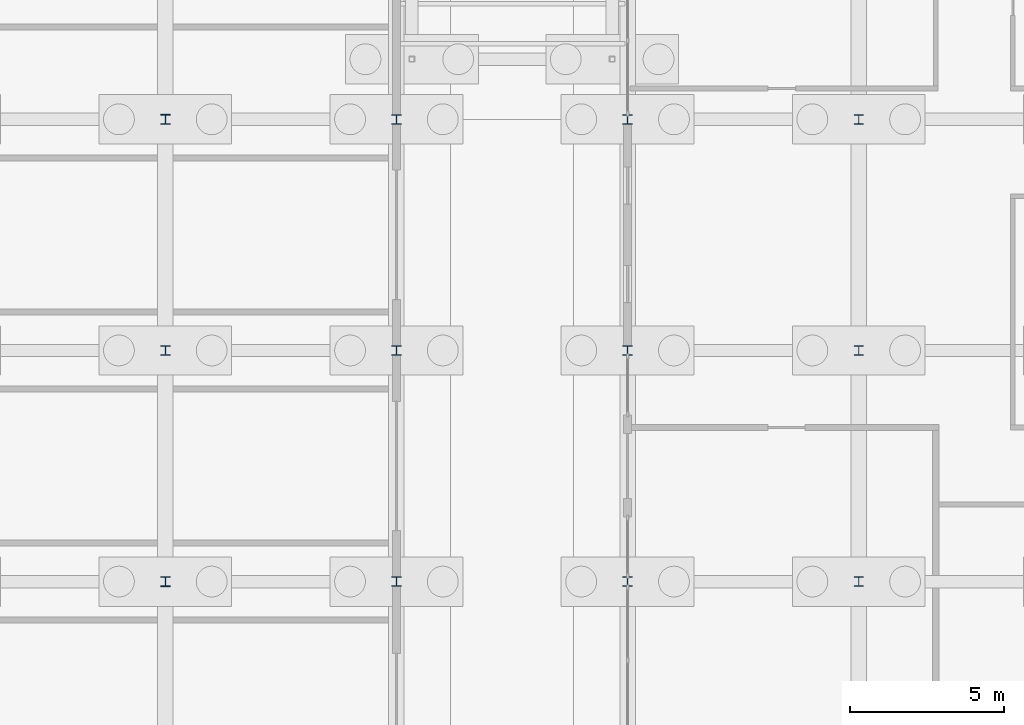
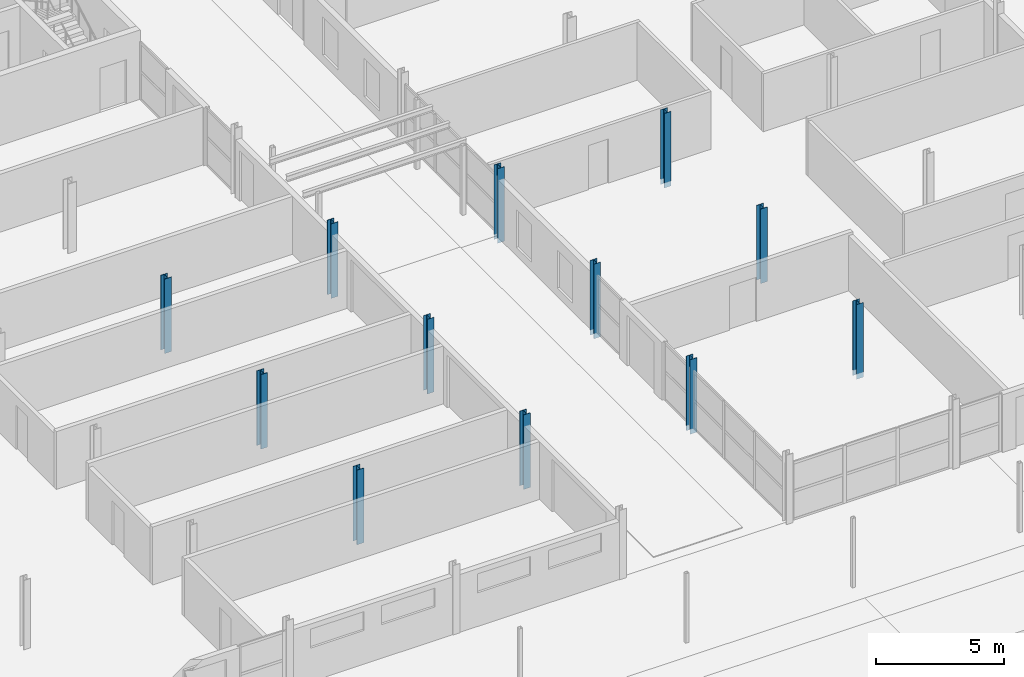
# One storey, part 25 of 130: 12 columns.
"""IFC4 building model written with IfcOpenShell, lengths in metres."""

from ifc_helpers import new_model, si_unit, direction, frame, origin, origin_2d, place, context, subcontext, project, spatial, i_section, extrude, material, material_profile, profile_set, type_object, element, save


model = new_model("IFC4")

# Units and contexts
model_context = context("Model", 3, precision=1e-05, world=origin(), true_north=direction((0.0, 1.0)))
body_context = subcontext(model_context, "Body", "Model", "MODEL_VIEW")
ifc_project = project(units=[si_unit("LENGTHUNIT", "METRE"), si_unit("AREAUNIT", "SQUARE_METRE"), si_unit("VOLUMEUNIT", "CUBIC_METRE"), si_unit("PLANEANGLEUNIT", "RADIAN"), si_unit("MASSUNIT", "GRAM", prefix="KILO")], contexts=[model_context])

# Site, building, storey
site_placement = place(None, origin())
site = spatial("IfcSite", under=ifc_project, at=site_placement, CompositionType="ELEMENT")
building_placement = place(site_placement, origin())
building = spatial("IfcBuilding", under=site, at=building_placement, Name="Parallax Yard Mobility Hub", CompositionType="ELEMENT")
storey_placement = place(building_placement, origin())
storey = spatial("IfcBuildingStorey", under=building, at=storey_placement, Name="L00", CompositionType="ELEMENT", Elevation=0.0)

# Columns
ifc_material = material(Name="Steel ASTM A992", Category="steel")
ifc_material_profile_1 = material_profile(ifc_material, i_section(OverallWidth=0.306884765625, OverallDepth=0.318115234375, WebThickness=0.01318359375, FlangeThickness=0.0205078125, FilletRadius=0.01513671875, at=origin_2d()), Name="W310x129")
ifc_profile_set_1 = profile_set([ifc_material_profile_1], Name="Steel ASTM A992")
column_type_1 = type_object("IfcColumnType", Name="W310x129 column", PredefinedType="COLUMN", material=ifc_profile_set_1)
for number, where, z_axis, x_axis, name in (
    (1, (135.0, 15.0, -0.25), (0.0, 0.0, 1.0), (1.0, 0.0, 0.0), "Column C3 level L00 at C/19 of mobility service centre and workshops"),
    (2, (135.0, 22.5, -0.25), (0.0, 0.0, 1.0), (1.0, 0.0, 0.0), "Column C3 level L00 at D/19 of mobility service centre and workshops"),
    (3, (135.0, 30.0, -0.25), (0.0, 0.0, 1.0), (1.0, 0.0, 0.0), "Column C3 level L00 at E/19 of mobility service centre and workshops"),
):
    element("IfcColumn", number, at=place(storey_placement, frame(where, z_axis=z_axis, x_axis=x_axis)), inside=storey, type_object=column_type_1, Name=name, PredefinedType="COLUMN", context=body_context, shape_type="SweptSolid", body=[
        extrude(i_section(OverallWidth=0.306884765625, OverallDepth=0.318115234375, WebThickness=0.01318359375, FlangeThickness=0.0205078125, FilletRadius=0.01513671875, at=origin_2d()), origin(), (0.0, 0.0, 1.0), 3.550048828125),
    ])
ifc_material_profile_2 = material_profile(ifc_material, i_section(OverallWidth=0.304931640625, OverallDepth=0.306884765625, WebThickness=0.010009765625, FlangeThickness=0.015380859375, FilletRadius=0.01513671875, at=origin_2d()), Name="W310x97")
ifc_profile_set_2 = profile_set([ifc_material_profile_2], Name="Steel ASTM A992")
column_type_2 = type_object("IfcColumnType", Name="W310x97 column", PredefinedType="COLUMN", material=ifc_profile_set_2)
for number, where, z_axis, x_axis, name in (
    (4, (150.0, 15.0, -0.25), (0.0, 0.0, 1.0), (1.0, 0.0, 0.0), "Column C1 level L00 at C/21 of bicycle and shared-mobility hall"),
    (5, (150.0, 22.5, -0.25), (0.0, 0.0, 1.0), (1.0, 0.0, 0.0), "Column C1 level L00 at D/21 of bicycle and shared-mobility hall"),
    (6, (150.0, 30.0, -0.25), (0.0, 0.0, 1.0), (1.0, 0.0, 0.0), "Column C1 level L00 at E/21 of bicycle and shared-mobility hall"),
    (7, (157.5, 15.0, -0.25), (0.0, 0.0, 1.0), (1.0, 0.0, 0.0), "Column C1 level L00 at C/22 of bicycle and shared-mobility hall"),
    (8, (157.5, 22.5, -0.25), (0.0, 0.0, 1.0), (1.0, 0.0, 0.0), "Column C1 level L00 at D/22 of bicycle and shared-mobility hall"),
    (9, (157.5, 30.0, -0.25), (0.0, 0.0, 1.0), (1.0, 0.0, 0.0), "Column C1 level L00 at E/22 of bicycle and shared-mobility hall"),
    (10, (142.5, 15.0, -0.25), (0.0, 0.0, 1.0), (1.0, 0.0, 0.0), "Column C1 level L00 at C/20 of mobility service centre and workshops"),
    (11, (142.5, 22.5, -0.25), (0.0, 0.0, 1.0), (1.0, 0.0, 0.0), "Column C1 level L00 at D/20 of mobility service centre and workshops"),
    (12, (142.5, 30.0, -0.25), (0.0, 0.0, 1.0), (1.0, 0.0, 0.0), "Column C1 level L00 at E/20 of mobility service centre and workshops"),
):
    element("IfcColumn", number, at=place(storey_placement, frame(where, z_axis=z_axis, x_axis=x_axis)), inside=storey, type_object=column_type_2, Name=name, PredefinedType="COLUMN", context=body_context, shape_type="SweptSolid", body=[
        extrude(i_section(OverallWidth=0.304931640625, OverallDepth=0.306884765625, WebThickness=0.010009765625, FlangeThickness=0.015380859375, FilletRadius=0.01513671875, at=origin_2d()), origin(), (0.0, 0.0, 1.0), 3.550048828125),
    ])

save(model, "model.ifc")
